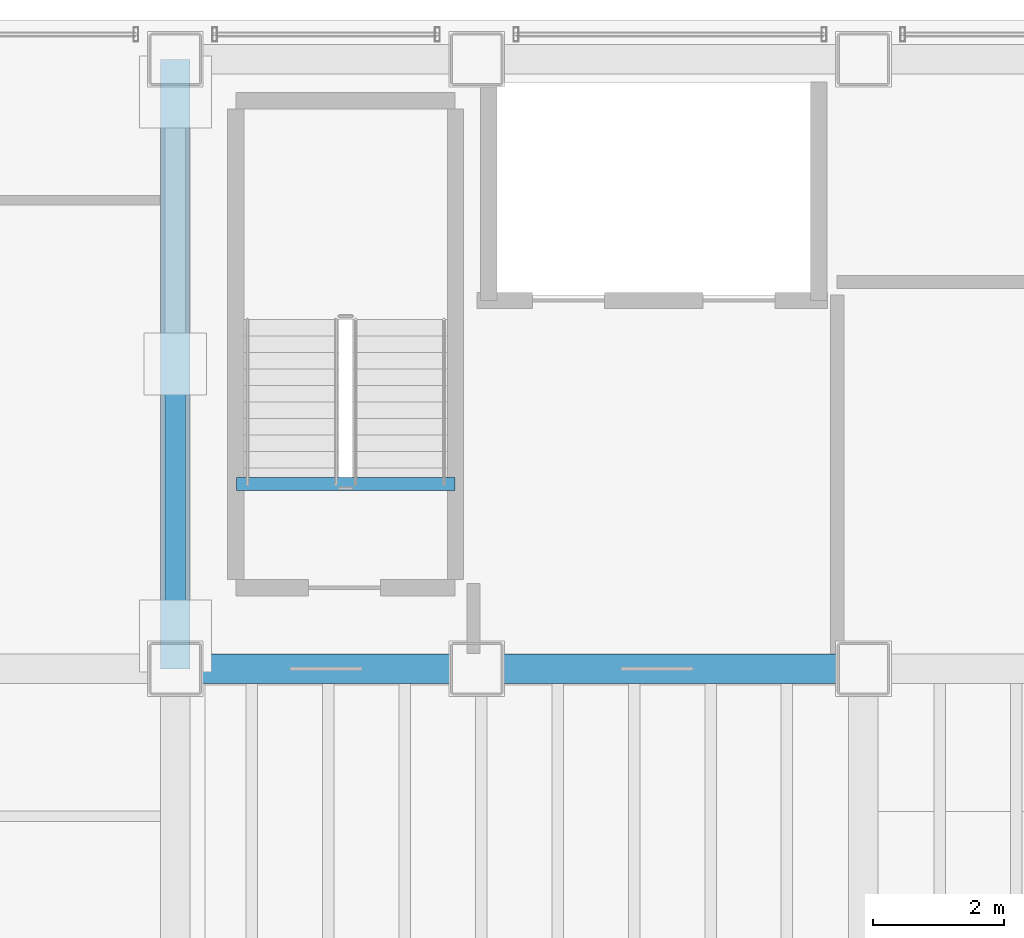
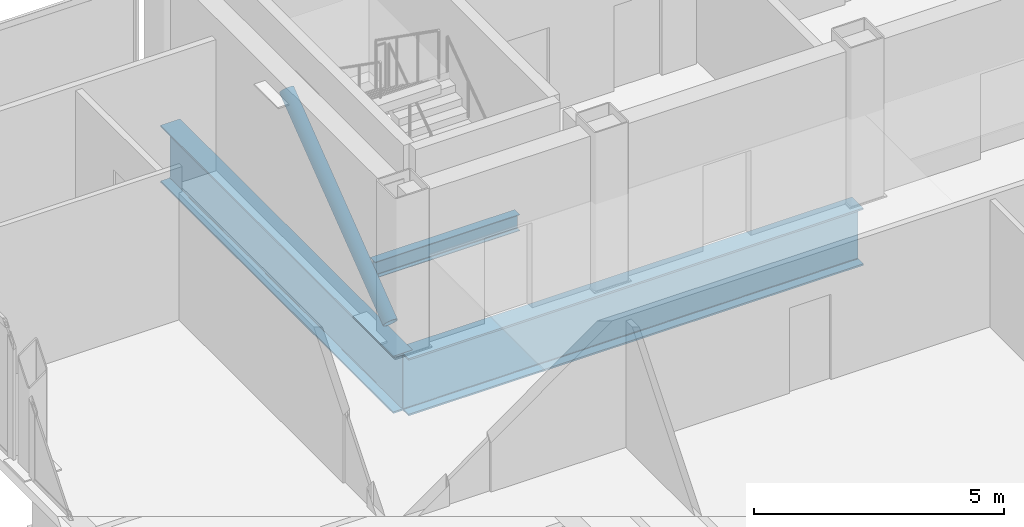
# One storey, part 9 of 22: 3 beams, 1 member.
"""IFC4 building model written with IfcOpenShell, lengths in metres."""

from ifc_helpers import new_model, si_unit, direction, frame, origin, origin_2d, place, context, subcontext, project, spatial, hollow_circle, i_section, extrude, material, material_profile, profile_set, type_object, element, save


model = new_model("IFC4")

# Units and contexts
model_context = context("Model", 3, precision=1e-05, world=origin(), true_north=direction((0.0, 1.0)))
body_context = subcontext(model_context, "Body", "Model", "MODEL_VIEW")
ifc_project = project(units=[si_unit("LENGTHUNIT", "METRE"), si_unit("AREAUNIT", "SQUARE_METRE"), si_unit("VOLUMEUNIT", "CUBIC_METRE"), si_unit("PLANEANGLEUNIT", "RADIAN"), si_unit("MASSUNIT", "GRAM", prefix="KILO")], contexts=[model_context])

# Site, building, storey
site_placement = place(None, origin())
site = spatial("IfcSite", under=ifc_project, at=site_placement, CompositionType="ELEMENT")
building_placement = place(site_placement, origin())
building = spatial("IfcBuilding", under=site, at=building_placement, Name="Noeulbin Bourse Tower", CompositionType="ELEMENT")
storey_placement = place(building_placement, frame((0.0, 0.0, 230.60009765625)))
storey = spatial("IfcBuildingStorey", under=building, at=storey_placement, Name="L57", CompositionType="ELEMENT", Elevation=230.60009765625)

# Beams
ifc_material_1 = material(Name="Steel S355", Category="steel")
ifc_material_profile_1 = material_profile(ifc_material_1, i_section(OverallWidth=0.199951171875, OverallDepth=0.39990234375, WebThickness=0.008056640625, FlangeThickness=0.012939453125, FilletRadius=0.01611328125, at=origin_2d()), Name="H-400x200x8x13", Category="LoadBearing")
ifc_profile_set_1 = profile_set([ifc_material_profile_1], Name="Steel S355")
beam_type_1 = type_object("IfcBeamType", Name="BM-SEC-400", PredefinedType="BEAM", material=ifc_profile_set_1)
beam_1_placement = place(storey_placement, frame((14.429931640625, 31.820068359375, -0.2001953125), z_axis=(1.0, 0.0, 0.0), x_axis=(0.0, 1.0, 0.0)))
element("IfcBeam", 1, at=beam_1_placement, inside=storey, type_object=beam_type_1, Name="Stair Threshold Trimmer Beam ST1-L57", PredefinedType="BEAM", context=body_context, shape_type="SweptSolid", body=[
    extrude(i_section(OverallWidth=0.199951171875, OverallDepth=0.39990234375, WebThickness=0.008056640625, FlangeThickness=0.012939453125, FilletRadius=0.01611328125, at=origin_2d()), origin(), (0.0, 0.0, 1.0), 3.340087890625),
])
ifc_material_2 = material(Name="Steel S460", Category="steel")
ifc_material_profile_2 = material_profile(ifc_material_2, i_section(OverallWidth=0.449951171875, OverallDepth=1.39990234375, WebThickness=0.02392578125, FlangeThickness=0.0400390625, FilletRadius=0.02392578125, at=origin_2d()), Name="PG-1400x450x24x40", Category="LoadBearing")
ifc_profile_set_2 = profile_set([ifc_material_profile_2], Name="Steel S460")
beam_type_2 = type_object("IfcBeamType", Name="BM-TRF-1400", PredefinedType="USERDEFINED", material=ifc_profile_set_2)
beam_2_placement = place(storey_placement, frame((13.5, 29.0, -0.940185546875), z_axis=(1.0, 0.0, 0.0), x_axis=(0.0, 1.0, 0.0)))
element("IfcBeam", 2, at=beam_2_placement, inside=storey, type_object=beam_type_2, Name="Tower Primary Girder EW L57-2.4", ObjectType="GIRDER", PredefinedType="USERDEFINED", context=body_context, shape_type="SweptSolid", body=[
    extrude(i_section(OverallWidth=0.449951171875, OverallDepth=1.39990234375, WebThickness=0.02392578125, FlangeThickness=0.0400390625, FilletRadius=0.02392578125, at=origin_2d()), origin(), (0.0, 0.0, 1.0), 10.5),
])
beam_3_placement = place(storey_placement, frame((13.5, 29.0, -0.940185546875), z_axis=(0.0, 1.0, 0.0), x_axis=(-1.0, 0.0, 0.0)))
element("IfcBeam", 3, at=beam_3_placement, inside=storey, type_object=beam_type_2, Name="Tower Primary Girder NS L57-1.3", ObjectType="GIRDER", PredefinedType="USERDEFINED", context=body_context, shape_type="SweptSolid", body=[
    extrude(i_section(OverallWidth=0.449951171875, OverallDepth=1.39990234375, WebThickness=0.02392578125, FlangeThickness=0.0400390625, FilletRadius=0.02392578125, at=origin_2d()), origin(), (0.0, 0.0, 1.0), 9.300048828125),
])

# Member
ifc_material_profile_3 = material_profile(ifc_material_1, hollow_circle(Radius=0.1591796875, WallThickness=0.01025390625, at=origin_2d()), Name="CHS-318.5x10.3", Category="LoadBearing")
ifc_profile_set_3 = profile_set([ifc_material_profile_3], Name="Steel S355")
member_type = type_object("IfcMemberType", Name="MEM-EXO-318", PredefinedType="BRACE", material=ifc_profile_set_3)
member_placement = place(storey_placement, frame((13.5, 29.5, 0.199951171875), z_axis=(0.0, 0.794684163041, 0.607023130541), x_axis=(-1.0, 0.0, 0.0)))
element("IfcMember", 4, at=member_placement, inside=storey, type_object=member_type, Name="Core Flank Chevron Brace XT-L57-W1", PredefinedType="BRACE", context=body_context, shape_type="SweptSolid", body=[
    extrude(hollow_circle(Radius=0.1591796875, WallThickness=0.01025390625, at=origin_2d()), origin(), (0.0, 0.0, 1.0), 5.22216796875),
])

save(model, "model.ifc")
